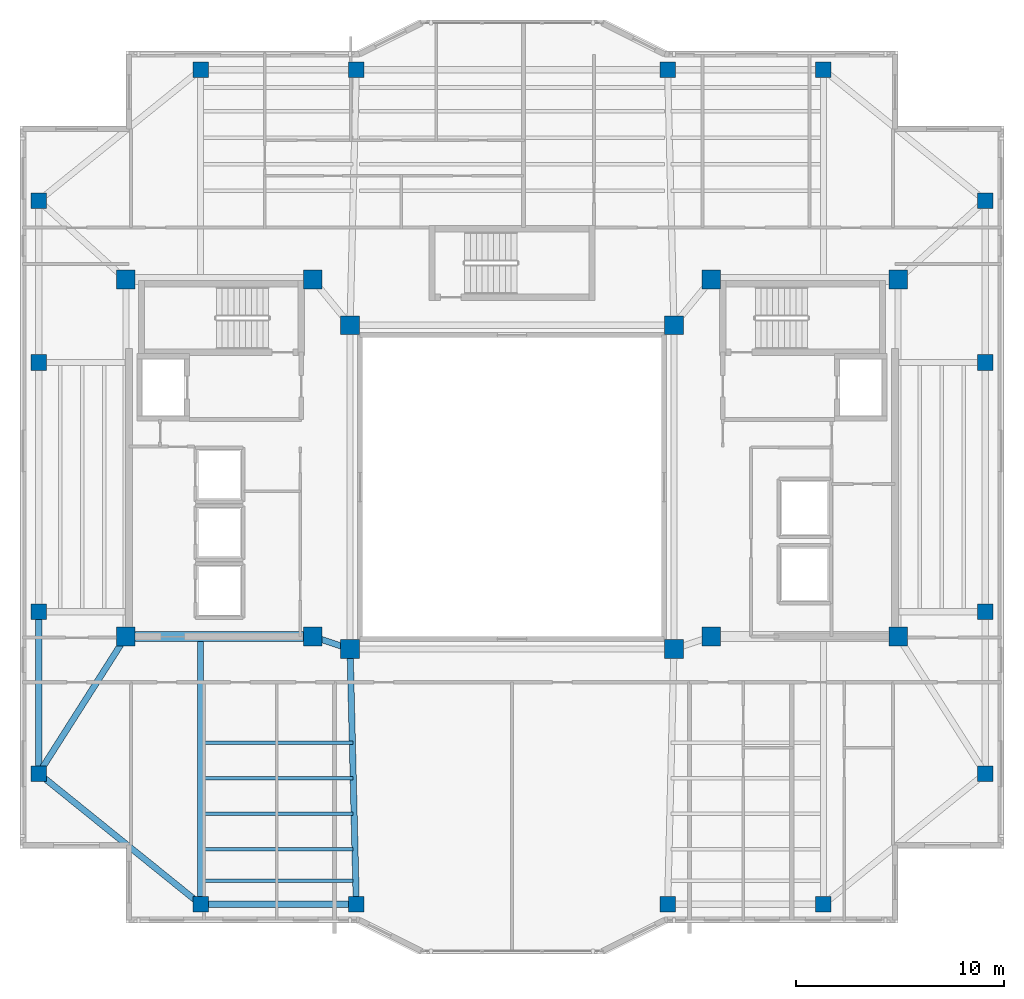
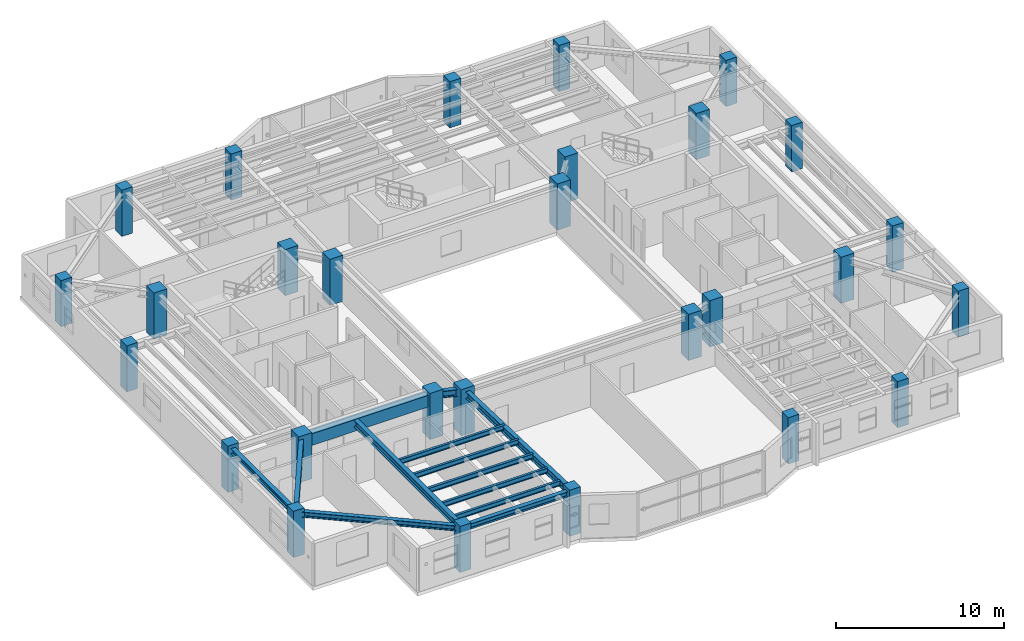
# One storey, part 1 of 13: 28 columns, 13 beams.
"""IFC4 building model written with IfcOpenShell, lengths in metres."""

from ifc_helpers import new_model, si_unit, direction, frame, origin, origin_2d, place, context, subcontext, project, spatial, rectangle, i_section, extrude, material, material_profile, profile_set, type_object, element, save


model = new_model("IFC4")

# Units and contexts
model_context = context("Model", 3, precision=1e-05, world=origin(), true_north=direction((0.0, 1.0)))
body_context = subcontext(model_context, "Body", "Model", "MODEL_VIEW")
ifc_project = project(units=[si_unit("LENGTHUNIT", "METRE"), si_unit("AREAUNIT", "SQUARE_METRE"), si_unit("VOLUMEUNIT", "CUBIC_METRE"), si_unit("PLANEANGLEUNIT", "RADIAN"), si_unit("MASSUNIT", "GRAM", prefix="KILO")], contexts=[model_context])

# Site, building, storey
site_placement = place(None, origin())
site = spatial("IfcSite", under=ifc_project, at=site_placement, CompositionType="ELEMENT")
building_placement = place(site_placement, origin())
building = spatial("IfcBuilding", under=site, at=building_placement, Name="Tarnavaz Court Tower", CompositionType="ELEMENT")
storey_placement = place(building_placement, frame((0.0, 0.0, 196.949951171875)))
storey = spatial("IfcBuildingStorey", under=building, at=storey_placement, Name="L53", CompositionType="ELEMENT", Elevation=196.949951171875)

# Columns
ifc_material_1 = material(Name="Concrete C50/60", Category="concrete")
ifc_material_profile_1 = material_profile(ifc_material_1, rectangle(XDim=0.75, YDim=0.75, at=origin_2d()), Name="RC 750X750")
ifc_profile_set_1 = profile_set([ifc_material_profile_1], Name="Concrete C50/60")
column_type_1 = type_object("IfcColumnType", Name="CL-RC750", PredefinedType="COLUMN", material=ifc_profile_set_1)
for number, where, z_axis, x_axis, name in (
    (1, (-15.0, 20.10009765625, 0.0), (0.0, 0.0, 1.0), (1.0, 0.0, 0.0), "L53 Column PN-1"),
    (2, (-7.5, 20.10009765625, 0.0), (0.0, 0.0, 1.0), (1.0, 0.0, 0.0), "L53 Column PN-2"),
    (3, (7.5, 20.10009765625, 0.0), (0.0, 0.0, 1.0), (1.0, 0.0, 0.0), "L53 Column PN-3"),
    (4, (15.0, 20.10009765625, 0.0), (0.0, 0.0, 1.0), (1.0, 0.0, 0.0), "L53 Column PN-4"),
    (5, (-15.0, -20.10009765625, 0.0), (0.0, 0.0, 1.0), (1.0, 0.0, 0.0), "L53 Column PS-1"),
    (6, (-7.5, -20.10009765625, 0.0), (0.0, 0.0, 1.0), (1.0, 0.0, 0.0), "L53 Column PS-2"),
    (7, (7.5, -20.10009765625, 0.0), (0.0, 0.0, 1.0), (1.0, 0.0, 0.0), "L53 Column PS-3"),
    (8, (15.0, -20.10009765625, 0.0), (0.0, 0.0, 1.0), (1.0, 0.0, 0.0), "L53 Column PS-4"),
    (9, (22.800048828125, -13.800048828125, 0.0), (0.0, 0.0, 1.0), (1.0, 0.0, 0.0), "L53 Column PE-1"),
    (10, (22.800048828125, -6.0, 0.0), (0.0, 0.0, 1.0), (1.0, 0.0, 0.0), "L53 Column PE-2"),
    (11, (22.800048828125, 6.0, 0.0), (0.0, 0.0, 1.0), (1.0, 0.0, 0.0), "L53 Column PE-3"),
    (12, (22.800048828125, 13.800048828125, 0.0), (0.0, 0.0, 1.0), (1.0, 0.0, 0.0), "L53 Column PE-4"),
    (13, (-22.800048828125, -13.800048828125, 0.0), (0.0, 0.0, 1.0), (1.0, 0.0, 0.0), "L53 Column PW-1"),
    (14, (-22.800048828125, -6.0, 0.0), (0.0, 0.0, 1.0), (1.0, 0.0, 0.0), "L53 Column PW-2"),
    (15, (-22.800048828125, 6.0, 0.0), (0.0, 0.0, 1.0), (1.0, 0.0, 0.0), "L53 Column PW-3"),
    (16, (-22.800048828125, 13.800048828125, 0.0), (0.0, 0.0, 1.0), (1.0, 0.0, 0.0), "L53 Column PW-4"),
):
    element("IfcColumn", number, at=place(storey_placement, frame(where, z_axis=z_axis, x_axis=x_axis)), inside=storey, type_object=column_type_1, Name=name, PredefinedType="COLUMN", context=body_context, shape_type="SweptSolid", body=[
        extrude(rectangle(XDim=0.75, YDim=0.75, at=origin_2d()), origin(), (0.0, 0.0, 1.0), 3.35009765625),
    ])
ifc_material_profile_2 = material_profile(ifc_material_1, rectangle(XDim=0.89990234375, YDim=0.89990234375, at=origin_2d()), Name="RC 900X900")
ifc_profile_set_2 = profile_set([ifc_material_profile_2], Name="Concrete C50/60")
column_type_2 = type_object("IfcColumnType", Name="CL-RC900", PredefinedType="COLUMN", material=ifc_profile_set_2)
for number, where, z_axis, x_axis, name in (
    (17, (-7.800048828125, -7.800048828125, 0.0), (0.0, 0.0, 1.0), (1.0, 0.0, 0.0), "L53 Column IW-SW"),
    (18, (7.800048828125, -7.800048828125, 0.0), (0.0, 0.0, 1.0), (1.0, 0.0, 0.0), "L53 Column IW-SE"),
    (19, (-7.800048828125, 7.800048828125, 0.0), (0.0, 0.0, 1.0), (1.0, 0.0, 0.0), "L53 Column IW-NW"),
    (20, (7.800048828125, 7.800048828125, 0.0), (0.0, 0.0, 1.0), (1.0, 0.0, 0.0), "L53 Column IW-NE"),
    (21, (-9.60009765625, -7.199951171875, 0.0), (0.0, 0.0, 1.0), (1.0, 0.0, 0.0), "L53 Column CW-SI"),
    (22, (-9.60009765625, 10.0, 0.0), (0.0, 0.0, 1.0), (1.0, 0.0, 0.0), "L53 Column CW-NI"),
    (23, (9.60009765625, -7.199951171875, 0.0), (0.0, 0.0, 1.0), (1.0, 0.0, 0.0), "L53 Column CE-SI"),
    (24, (9.60009765625, 10.0, 0.0), (0.0, 0.0, 1.0), (1.0, 0.0, 0.0), "L53 Column CE-NI"),
    (25, (-18.60009765625, -7.199951171875, 0.0), (0.0, 0.0, 1.0), (1.0, 0.0, 0.0), "L53 Column CW-SO"),
    (26, (-18.60009765625, 10.0, 0.0), (0.0, 0.0, 1.0), (1.0, 0.0, 0.0), "L53 Column CW-NO"),
    (27, (18.60009765625, -7.199951171875, 0.0), (0.0, 0.0, 1.0), (1.0, 0.0, 0.0), "L53 Column CE-SO"),
    (28, (18.60009765625, 10.0, 0.0), (0.0, 0.0, 1.0), (1.0, 0.0, 0.0), "L53 Column CE-NO"),
):
    element("IfcColumn", number, at=place(storey_placement, frame(where, z_axis=z_axis, x_axis=x_axis)), inside=storey, type_object=column_type_2, Name=name, PredefinedType="COLUMN", context=body_context, shape_type="SweptSolid", body=[
        extrude(rectangle(XDim=0.89990234375, YDim=0.89990234375, at=origin_2d()), origin(), (0.0, 0.0, 1.0), 3.35009765625),
    ])

# Beams
ifc_material_profile_3 = material_profile(ifc_material_1, rectangle(XDim=0.5, YDim=0.85009765625, at=origin_2d()), Name="RC 500X850")
ifc_profile_set_3 = profile_set([ifc_material_profile_3], Name="Concrete C50/60")
beam_type_1 = type_object("IfcBeamType", Name="BM-CB850", PredefinedType="LINTEL", material=ifc_profile_set_3)
beam_1_placement = place(storey_placement, frame((-18.3798828125, -7.199951171875, 2.675048828125), z_axis=(1.0, 0.0, 0.0), x_axis=(0.0, 1.0, 0.0)))
element("IfcBeam", 29, at=beam_1_placement, inside=storey, type_object=beam_type_1, Name="L53 Beam IN-CW-SO-CW-SI", PredefinedType="LINTEL", context=body_context, shape_type="SweptSolid", body=[
    extrude(rectangle(XDim=0.5, YDim=0.85009765625, at=origin_2d()), origin(), (0.0, 0.0, 1.0), 8.559814453125),
])
ifc_material_2 = material(Name="Steel S355", Category="steel")
ifc_material_profile_4 = material_profile(ifc_material_2, i_section(OverallWidth=0.300048828125, OverallDepth=0.5, WebThickness=0.014404296875, FlangeThickness=0.028076171875, FilletRadius=0.027099609375, at=origin_2d()), Name="HEB 500")
ifc_profile_set_4 = profile_set([ifc_material_profile_4], Name="Steel S355")
beam_type_2 = type_object("IfcBeamType", Name="BM-G-HEB500", PredefinedType="USERDEFINED", material=ifc_profile_set_4)
beam_2_placement = place(storey_placement, frame((-9.391357421875, -7.26953125, 2.85009765625), z_axis=(0.948666544706, -0.316278021615, 0.0), x_axis=(0.316278021615, 0.948666544706, 0.0)))
element("IfcBeam", 30, at=beam_2_placement, inside=storey, type_object=beam_type_2, Name="L53 Beam IN-CW-SI-IW-SW", ObjectType="GIRDER", PredefinedType="USERDEFINED", context=body_context, shape_type="SweptSolid", body=[
    extrude(i_section(OverallWidth=0.300048828125, OverallDepth=0.5, WebThickness=0.014404296875, FlangeThickness=0.028076171875, FilletRadius=0.027099609375, at=origin_2d()), origin(), (0.0, 0.0, 1.0), 1.457275390625),
])
beam_3_placement = place(storey_placement, frame((-15.0, -7.239990234375, 2.85009765625), z_axis=(0.0, -1.0, 0.0), x_axis=(1.0, 0.0, 0.0)))
element("IfcBeam", 31, at=beam_3_placement, inside=storey, type_object=beam_type_2, Name="L53 Beam RG-05", ObjectType="GIRDER", PredefinedType="USERDEFINED", context=body_context, shape_type="SweptSolid", body=[
    extrude(i_section(OverallWidth=0.300048828125, OverallDepth=0.5, WebThickness=0.014404296875, FlangeThickness=0.028076171875, FilletRadius=0.027099609375, at=origin_2d()), origin(), (0.0, 0.0, 1.0), 12.639892578125),
])
beam_4_placement = place(storey_placement, frame((-7.794677734375, -8.02001953125, 2.85009765625), z_axis=(0.024386002211, -0.99970261723, 0.0), x_axis=(0.99970261723, 0.024386002211, 0.0)))
element("IfcBeam", 32, at=beam_4_placement, inside=storey, type_object=beam_type_2, Name="L53 Beam RG-06", ObjectType="GIRDER", PredefinedType="USERDEFINED", context=body_context, shape_type="SweptSolid", body=[
    extrude(i_section(OverallWidth=0.300048828125, OverallDepth=0.5, WebThickness=0.014404296875, FlangeThickness=0.028076171875, FilletRadius=0.027099609375, at=origin_2d()), origin(), (0.0, 0.0, 1.0), 11.863525390625),
])
beam_5_placement = place(storey_placement, frame((-18.718017578125, -7.385498046875, 2.85009765625), z_axis=(-0.536871212964, -0.843664210863, 0.0), x_axis=(0.843664210863, -0.536871212964, 0.0)))
element("IfcBeam", 33, at=beam_5_placement, inside=storey, type_object=beam_type_2, Name="L53 Beam RG-15", ObjectType="GIRDER", PredefinedType="USERDEFINED", context=body_context, shape_type="SweptSolid", body=[
    extrude(i_section(OverallWidth=0.300048828125, OverallDepth=0.5, WebThickness=0.014404296875, FlangeThickness=0.028076171875, FilletRadius=0.027099609375, at=origin_2d()), origin(), (0.0, 0.0, 1.0), 7.38330078125),
])
ifc_material_profile_5 = material_profile(ifc_material_2, i_section(OverallWidth=0.169921875, OverallDepth=0.360107421875, WebThickness=0.008056640625, FlangeThickness=0.0126953125, FilletRadius=0.01806640625, at=origin_2d()), Name="IPE 360")
ifc_profile_set_5 = profile_set([ifc_material_profile_5], Name="Steel S355")
beam_type_3 = type_object("IfcBeamType", Name="BM-J-IPE360", PredefinedType="JOIST", material=ifc_profile_set_5)
for number, where, z_axis, x_axis, name in (
    (34, (-14.85009765625, -12.31005859375, 2.920166015625), (1.0, 0.0, 0.0), (0.0, 1.0, 0.0), "L53 Beam JS1-1"),
    (35, (-14.85009765625, -14.02001953125, 2.920166015625), (1.0, 0.0, 0.0), (0.0, 1.0, 0.0), "L53 Beam JS2-1"),
    (36, (-14.85009765625, -15.72998046875, 2.920166015625), (1.0, 0.0, 0.0), (0.0, 1.0, 0.0), "L53 Beam JS3-1"),
    (37, (-14.85009765625, -17.43994140625, 2.920166015625), (1.0, 0.0, 0.0), (0.0, 1.0, 0.0), "L53 Beam JS4-1"),
    (38, (-14.85009765625, -18.9599609375, 2.920166015625), (1.0, 0.0, 0.0), (0.0, 1.0, 0.0), "L53 Beam JS5-1"),
):
    element("IfcBeam", number, at=place(storey_placement, frame(where, z_axis=z_axis, x_axis=x_axis)), inside=storey, type_object=beam_type_3, Name=name, PredefinedType="JOIST", context=body_context, shape_type="SweptSolid", body=[
        extrude(i_section(OverallWidth=0.169921875, OverallDepth=0.360107421875, WebThickness=0.008056640625, FlangeThickness=0.0126953125, FilletRadius=0.01806640625, at=origin_2d()), origin(), (0.0, 0.0, 1.0), 7.2001953125),
    ])
ifc_material_profile_6 = material_profile(ifc_material_2, i_section(OverallWidth=0.300048828125, OverallDepth=0.389892578125, WebThickness=0.010986328125, FlangeThickness=0.01904296875, FilletRadius=0.027099609375, at=origin_2d()), Name="HEA 400")
ifc_profile_set_6 = profile_set([ifc_material_profile_6], Name="Steel S355")
beam_type_4 = type_object("IfcBeamType", Name="BM-SP-HEA400", PredefinedType="BEAM", material=ifc_profile_set_6)
beam_6_placement = place(storey_placement, frame((-14.780029296875, -20.10009765625, 2.905029296875), z_axis=(1.0, 0.0, 0.0), x_axis=(0.0, 1.0, 0.0)))
element("IfcBeam", 39, at=beam_6_placement, inside=storey, type_object=beam_type_4, Name="L53 Beam PR-PS-1-PS-2", PredefinedType="BEAM", context=body_context, shape_type="SweptSolid", body=[
    extrude(i_section(OverallWidth=0.300048828125, OverallDepth=0.389892578125, WebThickness=0.010986328125, FlangeThickness=0.01904296875, FilletRadius=0.027099609375, at=origin_2d()), origin(), (0.0, 0.0, 1.0), 7.06005859375),
])
beam_7_placement = place(storey_placement, frame((-22.800048828125, -13.580078125, 2.905029296875), z_axis=(0.0, 1.0, 0.0), x_axis=(-1.0, 0.0, 0.0)))
element("IfcBeam", 40, at=beam_7_placement, inside=storey, type_object=beam_type_4, Name="L53 Beam PR-PW-1-PW-2", PredefinedType="BEAM", context=body_context, shape_type="SweptSolid", body=[
    extrude(i_section(OverallWidth=0.300048828125, OverallDepth=0.389892578125, WebThickness=0.010986328125, FlangeThickness=0.01904296875, FilletRadius=0.027099609375, at=origin_2d()), origin(), (0.0, 0.0, 1.0), 7.360107421875),
])
beam_8_placement = place(storey_placement, frame((-15.171142578125, -19.9619140625, 2.905029296875), z_axis=(-0.777935913531, 0.628343627674, 0.0), x_axis=(-0.628343627674, -0.777935913531, 0.0)))
element("IfcBeam", 41, at=beam_8_placement, inside=storey, type_object=beam_type_4, Name="L53 Beam PR-PS-1-PW-1", PredefinedType="BEAM", context=body_context, shape_type="SweptSolid", body=[
    extrude(i_section(OverallWidth=0.300048828125, OverallDepth=0.389892578125, WebThickness=0.010986328125, FlangeThickness=0.01904296875, FilletRadius=0.027099609375, at=origin_2d()), origin(), (0.0, 0.0, 1.0), 9.586669921875),
])

save(model, "model.ifc")
